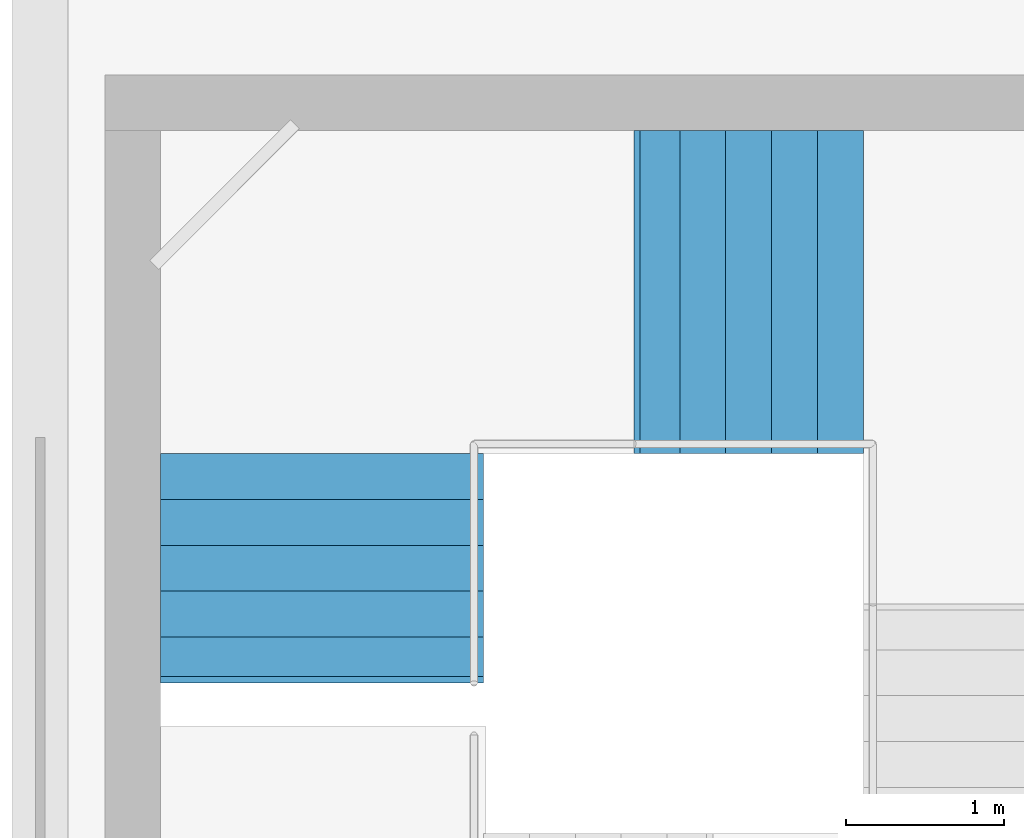
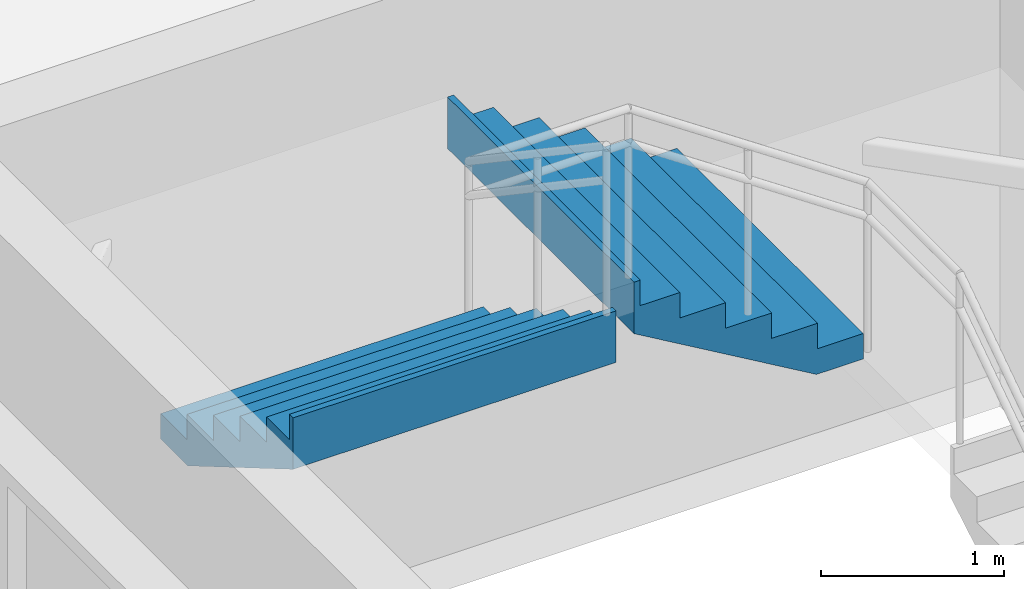
# One storey, part 64 of 66: 2 stair flights, 1 element without a shape of its own.
"""IFC4 building model written with IfcOpenShell, lengths in metres."""

from ifc_helpers import new_model, si_unit, direction, frame, origin, place, context, subcontext, project, spatial, triangles, material, type_object, element, aggregate, save


model = new_model("IFC4")

# Units and contexts
model_context = context("Model", 3, precision=1e-05, world=origin(), true_north=direction((0.0, 1.0)))
body_context = subcontext(model_context, "Body", "Model", "MODEL_VIEW")
ifc_project = project(units=[si_unit("LENGTHUNIT", "METRE"), si_unit("AREAUNIT", "SQUARE_METRE"), si_unit("VOLUMEUNIT", "CUBIC_METRE"), si_unit("PLANEANGLEUNIT", "RADIAN"), si_unit("MASSUNIT", "GRAM", prefix="KILO")], contexts=[model_context])

# Site, building, storey
site_placement = place(None, origin())
site = spatial("IfcSite", under=ifc_project, at=site_placement, CompositionType="ELEMENT")
building_placement = place(site_placement, origin())
building = spatial("IfcBuilding", under=site, at=building_placement, Name="Sillaruma Civic Art Gallery", CompositionType="ELEMENT")
storey_placement = place(building_placement, frame((0.0, 0.0, 62.219970703125)))
storey = spatial("IfcBuildingStorey", under=building, at=storey_placement, Name="L12", CompositionType="ELEMENT", Elevation=62.219970703125)

# Stair, stair flights
ifc_material = material(Name="Concrete H35 (35 MPa)", Category="concrete")
stair_type = type_object("IfcStairType", Name="STR-4F-24", PredefinedType="USERDEFINED", material=ifc_material)
stair_placement = place(storey_placement, origin())
stair = element("IfcStair", 1, at=stair_placement, inside=storey, type_object=stair_type, Name="Protected Exit Stair ST-02 (West Bar North) (L12)", ObjectType="THREE_RETURN_STAIR", PredefinedType="USERDEFINED")
stair_flight_type = type_object("IfcStairFlightType", Name="SFL-STR-6", PredefinedType="STRAIGHT", material=ifc_material)
stair_flight_1_placement = place(storey_placement, frame((67.199951171875, 86.3701171875, 2.0400390625), z_axis=(0.0, 0.0, 1.0), x_axis=(-1.0, 0.0, 0.0)))
stair_flight_1 = element("IfcStairFlight", 2, at=stair_flight_1_placement, type_object=stair_flight_type, Name="ST-02 flight 3", NumberOfRisers=6, NumberOfTreads=5, PredefinedType="STRAIGHT", RiserHeight=0.17, TreadLength=0.29, context=body_context, shape_type="Tessellation", body=[
    triangles([(0.0, -1.02001953125, 0.0), (0.29, -1.02001953125, 0.0), (0.296365, -1.02001953125, 0.0), (0.58, -1.02001953125, 0.166269), (0.87, -1.02001953125, 0.336269), (1.16, -1.02001953125, 0.506269), (1.409951, -1.02001953125, 0.652792), (1.449951, -1.02001953125, 0.67624), (1.449951, -1.02001953125, 1.02), (1.409951, -1.02001953125, 1.02), (1.409951, -1.02001953125, 0.85), (1.16, -1.02001953125, 0.85), (1.16, -1.02001953125, 0.68), (0.87, -1.02001953125, 0.68), (0.87, -1.02001953125, 0.51), (0.58, -1.02001953125, 0.51), (0.58, -1.02001953125, 0.34), (0.296365, -1.02001953125, 0.34), (0.29, -1.02001953125, 0.34), (0.29, -1.02001953125, 0.17), (0.0, -1.02001953125, 0.17), (0.0, -0.05, 0.0), (0.29, -0.05, 0.0), (0.296365, -0.05, 0.0), (0.58, -0.05, 0.166269), (0.87, -0.05, 0.336269), (1.16, -0.05, 0.506269), (1.409951, -0.05, 0.652792), (1.449951, -0.05, 0.67624), (1.449951, -0.05, 1.02), (1.409951, -0.05, 1.02), (1.409951, -0.05, 0.85), (1.16, -0.05, 0.85), (1.16, -0.05, 0.68), (0.87, -0.05, 0.68), (0.87, -0.05, 0.51), (0.58, -0.05, 0.51), (0.58, -0.05, 0.34), (0.296365, -0.05, 0.34), (0.29, -0.05, 0.34), (0.29, -0.05, 0.17), (0.0, -0.05, 0.17), (0.0, -0.0375, 0.0), (0.29, -0.0375, 0.0), (0.296365, -0.0375, 0.0), (0.58, -0.0375, 0.166269), (0.87, -0.0375, 0.336269), (1.16, -0.0375, 0.506269), (1.409951, -0.0375, 0.652792), (1.449951, -0.0375, 0.67624), (1.449951, -0.0375, 1.02), (1.409951, -0.0375, 1.02), (1.409951, -0.0375, 0.85), (1.16, -0.0375, 0.85), (1.16, -0.0375, 0.68), (0.87, -0.0375, 0.68), (0.87, -0.0375, 0.51), (0.58, -0.0375, 0.51), (0.58, -0.0375, 0.34), (0.296365, -0.0375, 0.34), (0.29, -0.0375, 0.34), (0.29, -0.0375, 0.17), (0.0, -0.0375, 0.17), (0.0, -0.025, 0.0), (0.29, -0.025, 0.0), (0.296365, -0.025, 0.0), (0.58, -0.025, 0.166269), (0.87, -0.025, 0.336269), (1.16, -0.025, 0.506269), (1.409951, -0.025, 0.652792), (1.449951, -0.025, 0.67624), (1.449951, -0.025, 1.02), (1.409951, -0.025, 1.02), (1.409951, -0.025, 0.85), (1.16, -0.025, 0.85), (1.16, -0.025, 0.68), (0.87, -0.025, 0.68), (0.87, -0.025, 0.51), (0.58, -0.025, 0.51), (0.58, -0.025, 0.34), (0.296365, -0.025, 0.34), (0.29, -0.025, 0.34), (0.29, -0.025, 0.17), (0.0, -0.025, 0.17), (0.0, -0.0125, 0.0), (0.29, -0.0125, 0.0), (0.296365, -0.0125, 0.0), (0.58, -0.0125, 0.166269), (0.87, -0.0125, 0.336269), (1.16, -0.0125, 0.506269), (1.409951, -0.0125, 0.652792), (1.449951, -0.0125, 0.67624), (1.449951, -0.0125, 1.02), (1.409951, -0.0125, 1.02), (1.409951, -0.0125, 0.85), (1.16, -0.0125, 0.85), (1.16, -0.0125, 0.68), (0.87, -0.0125, 0.68), (0.87, -0.0125, 0.51), (0.58, -0.0125, 0.51), (0.58, -0.0125, 0.34), (0.296365, -0.0125, 0.34), (0.29, -0.0125, 0.34), (0.29, -0.0125, 0.17), (0.0, -0.0125, 0.17), (0.0, 0.0, 0.0), (0.29, 0.0, 0.0), (0.296365, 0.0, 0.0), (0.58, 0.0, 0.166269), (0.87, 0.0, 0.336269), (1.16, 0.0, 0.506269), (1.409951, 0.0, 0.652792), (1.449951, 0.0, 0.67624), (1.449951, 0.0, 1.02), (1.409951, 0.0, 1.02), (1.409951, 0.0, 0.85), (1.16, 0.0, 0.85), (1.16, 0.0, 0.68), (0.87, 0.0, 0.68), (0.87, 0.0, 0.51), (0.58, 0.0, 0.51), (0.58, 0.0, 0.34), (0.296365, 0.0, 0.34), (0.29, 0.0, 0.34), (0.29, 0.0, 0.17), (0.0, 0.0, 0.17), (0.0, 0.0125, 0.0), (0.29, 0.0125, 0.0), (0.296365, 0.0125, 0.0), (0.58, 0.0125, 0.166269), (0.87, 0.0125, 0.336269), (1.16, 0.0125, 0.506269), (1.409951, 0.0125, 0.652792), (1.449951, 0.0125, 0.67624), (1.449951, 0.0125, 1.02), (1.409951, 0.0125, 1.02), (1.409951, 0.0125, 0.85), (1.16, 0.0125, 0.85), (1.16, 0.0125, 0.68), (0.87, 0.0125, 0.68), (0.87, 0.0125, 0.51), (0.58, 0.0125, 0.51), (0.58, 0.0125, 0.34), (0.296365, 0.0125, 0.34), (0.29, 0.0125, 0.34), (0.29, 0.0125, 0.17), (0.0, 0.0125, 0.17), (0.0, 0.025, 0.0), (0.29, 0.025, 0.0), (0.296365, 0.025, 0.0), (0.58, 0.025, 0.166269), (0.87, 0.025, 0.336269), (1.16, 0.025, 0.506269), (1.409951, 0.025, 0.652792), (1.449951, 0.025, 0.67624), (1.449951, 0.025, 1.02), (1.409951, 0.025, 1.02), (1.409951, 0.025, 0.85), (1.16, 0.025, 0.85), (1.16, 0.025, 0.68), (0.87, 0.025, 0.68), (0.87, 0.025, 0.51), (0.58, 0.025, 0.51), (0.58, 0.025, 0.34), (0.296365, 0.025, 0.34), (0.29, 0.025, 0.34), (0.29, 0.025, 0.17), (0.0, 0.025, 0.17), (0.0, 0.0375, 0.0), (0.29, 0.0375, 0.0), (0.296365, 0.0375, 0.0), (0.58, 0.0375, 0.166269), (0.87, 0.0375, 0.336269), (1.16, 0.0375, 0.506269), (1.409951, 0.0375, 0.652792), (1.449951, 0.0375, 0.67624), (1.449951, 0.0375, 1.02), (1.409951, 0.0375, 1.02), (1.409951, 0.0375, 0.85), (1.16, 0.0375, 0.85), (1.16, 0.0375, 0.68), (0.87, 0.0375, 0.68), (0.87, 0.0375, 0.51), (0.58, 0.0375, 0.51), (0.58, 0.0375, 0.34), (0.296365, 0.0375, 0.34), (0.29, 0.0375, 0.34), (0.29, 0.0375, 0.17), (0.0, 0.0375, 0.17), (0.0, 0.05, 0.0), (0.29, 0.05, 0.0), (0.296365, 0.05, 0.0), (0.58, 0.05, 0.166269), (0.87, 0.05, 0.336269), (1.16, 0.05, 0.506269), (1.409951, 0.05, 0.652792), (1.449951, 0.05, 0.67624), (1.449951, 0.05, 1.02), (1.409951, 0.05, 1.02), (1.409951, 0.05, 0.85), (1.16, 0.05, 0.85), (1.16, 0.05, 0.68), (0.87, 0.05, 0.68), (0.87, 0.05, 0.51), (0.58, 0.05, 0.51), (0.58, 0.05, 0.34), (0.296365, 0.05, 0.34), (0.29, 0.05, 0.34), (0.29, 0.05, 0.17), (0.0, 0.05, 0.17), (0.0, 1.02001953125, 0.0), (0.29, 1.02001953125, 0.0), (0.296365, 1.02001953125, 0.0), (0.58, 1.02001953125, 0.166269), (0.87, 1.02001953125, 0.336269), (1.16, 1.02001953125, 0.506269), (1.409951, 1.02001953125, 0.652792), (1.449951, 1.02001953125, 0.67624), (1.449951, 1.02001953125, 1.02), (1.409951, 1.02001953125, 1.02), (1.409951, 1.02001953125, 0.85), (1.16, 1.02001953125, 0.85), (1.16, 1.02001953125, 0.68), (0.87, 1.02001953125, 0.68), (0.87, 1.02001953125, 0.51), (0.58, 1.02001953125, 0.51), (0.58, 1.02001953125, 0.34), (0.296365, 1.02001953125, 0.34), (0.29, 1.02001953125, 0.34), (0.29, 1.02001953125, 0.17), (0.0, 1.02001953125, 0.17)], [[1, 2, 20], [1, 20, 21], [2, 3, 18], [2, 18, 20], [20, 18, 19], [3, 4, 17], [3, 17, 18], [4, 5, 15], [4, 15, 17], [17, 15, 16], [5, 6, 13], [5, 13, 15], [15, 13, 14], [6, 7, 11], [6, 11, 13], [13, 11, 12], [7, 8, 9], [7, 9, 11], [11, 9, 10], [230, 212, 211], [231, 230, 211], [228, 213, 212], [230, 228, 212], [229, 228, 230], [227, 214, 213], [228, 227, 213], [225, 215, 214], [227, 225, 214], [226, 225, 227], [223, 216, 215], [225, 223, 215], [224, 223, 225], [221, 217, 216], [223, 221, 216], [222, 221, 223], [219, 218, 217], [221, 219, 217], [220, 219, 221], [2, 1, 22], [2, 22, 23], [3, 2, 23], [3, 23, 24], [4, 3, 24], [4, 24, 25], [5, 4, 25], [5, 25, 26], [6, 5, 26], [6, 26, 27], [7, 6, 27], [7, 27, 28], [8, 7, 28], [8, 28, 29], [9, 8, 29], [9, 29, 30], [10, 9, 30], [10, 30, 31], [11, 10, 31], [11, 31, 32], [12, 11, 32], [12, 32, 33], [13, 12, 33], [13, 33, 34], [14, 13, 34], [14, 34, 35], [15, 14, 35], [15, 35, 36], [16, 15, 36], [16, 36, 37], [17, 16, 37], [17, 37, 38], [18, 17, 38], [18, 38, 39], [19, 18, 39], [19, 39, 40], [20, 19, 40], [20, 40, 41], [21, 20, 41], [21, 41, 42], [1, 21, 42], [1, 42, 22], [23, 22, 43], [23, 43, 44], [24, 23, 44], [24, 44, 45], [25, 24, 45], [25, 45, 46], [26, 25, 46], [26, 46, 47], [27, 26, 47], [27, 47, 48], [28, 27, 48], [28, 48, 49], [29, 28, 49], [29, 49, 50], [30, 29, 50], [30, 50, 51], [31, 30, 51], [31, 51, 52], [32, 31, 52], [32, 52, 53], [33, 32, 53], [33, 53, 54], [34, 33, 54], [34, 54, 55], [35, 34, 55], [35, 55, 56], [36, 35, 56], [36, 56, 57], [37, 36, 57], [37, 57, 58], [38, 37, 58], [38, 58, 59], [39, 38, 59], [39, 59, 60], [40, 39, 60], [40, 60, 61], [41, 40, 61], [41, 61, 62], [42, 41, 62], [42, 62, 63], [22, 42, 63], [22, 63, 43], [44, 43, 64], [44, 64, 65], [45, 44, 65], [45, 65, 66], [46, 45, 66], [46, 66, 67], [47, 46, 67], [47, 67, 68], [48, 47, 68], [48, 68, 69], [49, 48, 69], [49, 69, 70], [50, 49, 70], [50, 70, 71], [51, 50, 71], [51, 71, 72], [52, 51, 72], [52, 72, 73], [53, 52, 73], [53, 73, 74], [54, 53, 74], [54, 74, 75], [55, 54, 75], [55, 75, 76], [56, 55, 76], [56, 76, 77], [57, 56, 77], [57, 77, 78], [58, 57, 78], [58, 78, 79], [59, 58, 79], [59, 79, 80], [60, 59, 80], [60, 80, 81], [61, 60, 81], [61, 81, 82], [62, 61, 82], [62, 82, 83], [63, 62, 83], [63, 83, 84], [43, 63, 84], [43, 84, 64], [65, 64, 85], [65, 85, 86], [66, 65, 86], [66, 86, 87], [67, 66, 87], [67, 87, 88], [68, 67, 88], [68, 88, 89], [69, 68, 89], [69, 89, 90], [70, 69, 90], [70, 90, 91], [71, 70, 91], [71, 91, 92], [72, 71, 92], [72, 92, 93], [73, 72, 93], [73, 93, 94], [74, 73, 94], [74, 94, 95], [75, 74, 95], [75, 95, 96], [76, 75, 96], [76, 96, 97], [77, 76, 97], [77, 97, 98], [78, 77, 98], [78, 98, 99], [79, 78, 99], [79, 99, 100], [80, 79, 100], [80, 100, 101], [81, 80, 101], [81, 101, 102], [82, 81, 102], [82, 102, 103], [83, 82, 103], [83, 103, 104], [84, 83, 104], [84, 104, 105], [64, 84, 105], [64, 105, 85], [86, 85, 106], [86, 106, 107], [87, 86, 107], [87, 107, 108], [88, 87, 108], [88, 108, 109], [89, 88, 109], [89, 109, 110], [90, 89, 110], [90, 110, 111], [91, 90, 111], [91, 111, 112], [92, 91, 112], [92, 112, 113], [93, 92, 113], [93, 113, 114], [94, 93, 114], [94, 114, 115], [95, 94, 115], [95, 115, 116], [96, 95, 116], [96, 116, 117], [97, 96, 117], [97, 117, 118], [98, 97, 118], [98, 118, 119], [99, 98, 119], [99, 119, 120], [100, 99, 120], [100, 120, 121], [101, 100, 121], [101, 121, 122], [102, 101, 122], [102, 122, 123], [103, 102, 123], [103, 123, 124], [104, 103, 124], [104, 124, 125], [105, 104, 125], [105, 125, 126], [85, 105, 126], [85, 126, 106], [107, 106, 127], [107, 127, 128], [108, 107, 128], [108, 128, 129], [109, 108, 129], [109, 129, 130], [110, 109, 130], [110, 130, 131], [111, 110, 131], [111, 131, 132], [112, 111, 132], [112, 132, 133], [113, 112, 133], [113, 133, 134], [114, 113, 134], [114, 134, 135], [115, 114, 135], [115, 135, 136], [116, 115, 136], [116, 136, 137], [117, 116, 137], [117, 137, 138], [118, 117, 138], [118, 138, 139], [119, 118, 139], [119, 139, 140], [120, 119, 140], [120, 140, 141], [121, 120, 141], [121, 141, 142], [122, 121, 142], [122, 142, 143], [123, 122, 143], [123, 143, 144], [124, 123, 144], [124, 144, 145], [125, 124, 145], [125, 145, 146], [126, 125, 146], [126, 146, 147], [106, 126, 147], [106, 147, 127], [128, 127, 148], [128, 148, 149], [129, 128, 149], [129, 149, 150], [130, 129, 150], [130, 150, 151], [131, 130, 151], [131, 151, 152], [132, 131, 152], [132, 152, 153], [133, 132, 153], [133, 153, 154], [134, 133, 154], [134, 154, 155], [135, 134, 155], [135, 155, 156], [136, 135, 156], [136, 156, 157], [137, 136, 157], [137, 157, 158], [138, 137, 158], [138, 158, 159], [139, 138, 159], [139, 159, 160], [140, 139, 160], [140, 160, 161], [141, 140, 161], [141, 161, 162], [142, 141, 162], [142, 162, 163], [143, 142, 163], [143, 163, 164], [144, 143, 164], [144, 164, 165], [145, 144, 165], [145, 165, 166], [146, 145, 166], [146, 166, 167], [147, 146, 167], [147, 167, 168], [127, 147, 168], [127, 168, 148], [149, 148, 169], [149, 169, 170], [150, 149, 170], [150, 170, 171], [151, 150, 171], [151, 171, 172], [152, 151, 172], [152, 172, 173], [153, 152, 173], [153, 173, 174], [154, 153, 174], [154, 174, 175], [155, 154, 175], [155, 175, 176], [156, 155, 176], [156, 176, 177], [157, 156, 177], [157, 177, 178], [158, 157, 178], [158, 178, 179], [159, 158, 179], [159, 179, 180], [160, 159, 180], [160, 180, 181], [161, 160, 181], [161, 181, 182], [162, 161, 182], [162, 182, 183], [163, 162, 183], [163, 183, 184], [164, 163, 184], [164, 184, 185], [165, 164, 185], [165, 185, 186], [166, 165, 186], [166, 186, 187], [167, 166, 187], [167, 187, 188], [168, 167, 188], [168, 188, 189], [148, 168, 189], [148, 189, 169], [170, 169, 190], [170, 190, 191], [171, 170, 191], [171, 191, 192], [172, 171, 192], [172, 192, 193], [173, 172, 193], [173, 193, 194], [174, 173, 194], [174, 194, 195], [175, 174, 195], [175, 195, 196], [176, 175, 196], [176, 196, 197], [177, 176, 197], [177, 197, 198], [178, 177, 198], [178, 198, 199], [179, 178, 199], [179, 199, 200], [180, 179, 200], [180, 200, 201], [181, 180, 201], [181, 201, 202], [182, 181, 202], [182, 202, 203], [183, 182, 203], [183, 203, 204], [184, 183, 204], [184, 204, 205], [185, 184, 205], [185, 205, 206], [186, 185, 206], [186, 206, 207], [187, 186, 207], [187, 207, 208], [188, 187, 208], [188, 208, 209], [189, 188, 209], [189, 209, 210], [169, 189, 210], [169, 210, 190], [191, 190, 211], [191, 211, 212], [192, 191, 212], [192, 212, 213], [193, 192, 213], [193, 213, 214], [194, 193, 214], [194, 214, 215], [195, 194, 215], [195, 215, 216], [196, 195, 216], [196, 216, 217], [197, 196, 217], [197, 217, 218], [198, 197, 218], [198, 218, 219], [199, 198, 219], [199, 219, 220], [200, 199, 220], [200, 220, 221], [201, 200, 221], [201, 221, 222], [202, 201, 222], [202, 222, 223], [203, 202, 223], [203, 223, 224], [204, 203, 224], [204, 224, 225], [205, 204, 225], [205, 225, 226], [206, 205, 226], [206, 226, 227], [207, 206, 227], [207, 227, 228], [208, 207, 228], [208, 228, 229], [209, 208, 229], [209, 229, 230], [210, 209, 230], [210, 230, 231], [190, 210, 231], [190, 231, 211]], closed=True),
])
stair_flight_2_placement = place(storey_placement, frame((63.780029296875, 85.35009765625, 3.06005859375), z_axis=(0.0, 0.0, 1.0), x_axis=(0.0, -1.0, 0.0)))
stair_flight_2 = element("IfcStairFlight", 3, at=stair_flight_2_placement, type_object=stair_flight_type, Name="ST-02 flight 4", NumberOfRisers=6, NumberOfTreads=5, PredefinedType="STRAIGHT", RiserHeight=0.17, TreadLength=0.29, context=body_context, shape_type="Tessellation", body=[
    triangles([(0.0, -1.02001953125, 0.0), (0.29, -1.02001953125, 0.0), (0.296365, -1.02001953125, 0.0), (0.58, -1.02001953125, 0.166269), (0.87, -1.02001953125, 0.336269), (1.16, -1.02001953125, 0.506269), (1.409951, -1.02001953125, 0.652792), (1.449951, -1.02001953125, 0.67624), (1.449951, -1.02001953125, 1.02), (1.409951, -1.02001953125, 1.02), (1.409951, -1.02001953125, 0.85), (1.16, -1.02001953125, 0.85), (1.16, -1.02001953125, 0.68), (0.87, -1.02001953125, 0.68), (0.87, -1.02001953125, 0.51), (0.58, -1.02001953125, 0.51), (0.58, -1.02001953125, 0.34), (0.296365, -1.02001953125, 0.34), (0.29, -1.02001953125, 0.34), (0.29, -1.02001953125, 0.17), (0.0, -1.02001953125, 0.17), (0.0, -0.05, 0.0), (0.29, -0.05, 0.0), (0.296365, -0.05, 0.0), (0.58, -0.05, 0.166269), (0.87, -0.05, 0.336269), (1.16, -0.05, 0.506269), (1.409951, -0.05, 0.652792), (1.449951, -0.05, 0.67624), (1.449951, -0.05, 1.02), (1.409951, -0.05, 1.02), (1.409951, -0.05, 0.85), (1.16, -0.05, 0.85), (1.16, -0.05, 0.68), (0.87, -0.05, 0.68), (0.87, -0.05, 0.51), (0.58, -0.05, 0.51), (0.58, -0.05, 0.34), (0.296365, -0.05, 0.34), (0.29, -0.05, 0.34), (0.29, -0.05, 0.17), (0.0, -0.05, 0.17), (0.0, -0.0375, 0.0), (0.29, -0.0375, 0.0), (0.296365, -0.0375, 0.0), (0.58, -0.0375, 0.166269), (0.87, -0.0375, 0.336269), (1.16, -0.0375, 0.506269), (1.409951, -0.0375, 0.652792), (1.449951, -0.0375, 0.67624), (1.449951, -0.0375, 1.02), (1.409951, -0.0375, 1.02), (1.409951, -0.0375, 0.85), (1.16, -0.0375, 0.85), (1.16, -0.0375, 0.68), (0.87, -0.0375, 0.68), (0.87, -0.0375, 0.51), (0.58, -0.0375, 0.51), (0.58, -0.0375, 0.34), (0.296365, -0.0375, 0.34), (0.29, -0.0375, 0.34), (0.29, -0.0375, 0.17), (0.0, -0.0375, 0.17), (0.0, -0.025, 0.0), (0.29, -0.025, 0.0), (0.296365, -0.025, 0.0), (0.58, -0.025, 0.166269), (0.87, -0.025, 0.336269), (1.16, -0.025, 0.506269), (1.409951, -0.025, 0.652792), (1.449951, -0.025, 0.67624), (1.449951, -0.025, 1.02), (1.409951, -0.025, 1.02), (1.409951, -0.025, 0.85), (1.16, -0.025, 0.85), (1.16, -0.025, 0.68), (0.87, -0.025, 0.68), (0.87, -0.025, 0.51), (0.58, -0.025, 0.51), (0.58, -0.025, 0.34), (0.296365, -0.025, 0.34), (0.29, -0.025, 0.34), (0.29, -0.025, 0.17), (0.0, -0.025, 0.17), (0.0, -0.0125, 0.0), (0.29, -0.0125, 0.0), (0.296365, -0.0125, 0.0), (0.58, -0.0125, 0.166269), (0.87, -0.0125, 0.336269), (1.16, -0.0125, 0.506269), (1.409951, -0.0125, 0.652792), (1.449951, -0.0125, 0.67624), (1.449951, -0.0125, 1.02), (1.409951, -0.0125, 1.02), (1.409951, -0.0125, 0.85), (1.16, -0.0125, 0.85), (1.16, -0.0125, 0.68), (0.87, -0.0125, 0.68), (0.87, -0.0125, 0.51), (0.58, -0.0125, 0.51), (0.58, -0.0125, 0.34), (0.296365, -0.0125, 0.34), (0.29, -0.0125, 0.34), (0.29, -0.0125, 0.17), (0.0, -0.0125, 0.17), (0.0, 0.0, 0.0), (0.29, 0.0, 0.0), (0.296365, 0.0, 0.0), (0.58, 0.0, 0.166269), (0.87, 0.0, 0.336269), (1.16, 0.0, 0.506269), (1.409951, 0.0, 0.652792), (1.449951, 0.0, 0.67624), (1.449951, 0.0, 1.02), (1.409951, 0.0, 1.02), (1.409951, 0.0, 0.85), (1.16, 0.0, 0.85), (1.16, 0.0, 0.68), (0.87, 0.0, 0.68), (0.87, 0.0, 0.51), (0.58, 0.0, 0.51), (0.58, 0.0, 0.34), (0.296365, 0.0, 0.34), (0.29, 0.0, 0.34), (0.29, 0.0, 0.17), (0.0, 0.0, 0.17), (0.0, 0.0125, 0.0), (0.29, 0.0125, 0.0), (0.296365, 0.0125, 0.0), (0.58, 0.0125, 0.166269), (0.87, 0.0125, 0.336269), (1.16, 0.0125, 0.506269), (1.409951, 0.0125, 0.652792), (1.449951, 0.0125, 0.67624), (1.449951, 0.0125, 1.02), (1.409951, 0.0125, 1.02), (1.409951, 0.0125, 0.85), (1.16, 0.0125, 0.85), (1.16, 0.0125, 0.68), (0.87, 0.0125, 0.68), (0.87, 0.0125, 0.51), (0.58, 0.0125, 0.51), (0.58, 0.0125, 0.34), (0.296365, 0.0125, 0.34), (0.29, 0.0125, 0.34), (0.29, 0.0125, 0.17), (0.0, 0.0125, 0.17), (0.0, 0.025, 0.0), (0.29, 0.025, 0.0), (0.296365, 0.025, 0.0), (0.58, 0.025, 0.166269), (0.87, 0.025, 0.336269), (1.16, 0.025, 0.506269), (1.409951, 0.025, 0.652792), (1.449951, 0.025, 0.67624), (1.449951, 0.025, 1.02), (1.409951, 0.025, 1.02), (1.409951, 0.025, 0.85), (1.16, 0.025, 0.85), (1.16, 0.025, 0.68), (0.87, 0.025, 0.68), (0.87, 0.025, 0.51), (0.58, 0.025, 0.51), (0.58, 0.025, 0.34), (0.296365, 0.025, 0.34), (0.29, 0.025, 0.34), (0.29, 0.025, 0.17), (0.0, 0.025, 0.17), (0.0, 0.0375, 0.0), (0.29, 0.0375, 0.0), (0.296365, 0.0375, 0.0), (0.58, 0.0375, 0.166269), (0.87, 0.0375, 0.336269), (1.16, 0.0375, 0.506269), (1.409951, 0.0375, 0.652792), (1.449951, 0.0375, 0.67624), (1.449951, 0.0375, 1.02), (1.409951, 0.0375, 1.02), (1.409951, 0.0375, 0.85), (1.16, 0.0375, 0.85), (1.16, 0.0375, 0.68), (0.87, 0.0375, 0.68), (0.87, 0.0375, 0.51), (0.58, 0.0375, 0.51), (0.58, 0.0375, 0.34), (0.296365, 0.0375, 0.34), (0.29, 0.0375, 0.34), (0.29, 0.0375, 0.17), (0.0, 0.0375, 0.17), (0.0, 0.05, 0.0), (0.29, 0.05, 0.0), (0.296365, 0.05, 0.0), (0.58, 0.05, 0.166269), (0.87, 0.05, 0.336269), (1.16, 0.05, 0.506269), (1.409951, 0.05, 0.652792), (1.449951, 0.05, 0.67624), (1.449951, 0.05, 1.02), (1.409951, 0.05, 1.02), (1.409951, 0.05, 0.85), (1.16, 0.05, 0.85), (1.16, 0.05, 0.68), (0.87, 0.05, 0.68), (0.87, 0.05, 0.51), (0.58, 0.05, 0.51), (0.58, 0.05, 0.34), (0.296365, 0.05, 0.34), (0.29, 0.05, 0.34), (0.29, 0.05, 0.17), (0.0, 0.05, 0.17), (0.0, 1.02001953125, 0.0), (0.29, 1.02001953125, 0.0), (0.296365, 1.02001953125, 0.0), (0.58, 1.02001953125, 0.166269), (0.87, 1.02001953125, 0.336269), (1.16, 1.02001953125, 0.506269), (1.409951, 1.02001953125, 0.652792), (1.449951, 1.02001953125, 0.67624), (1.449951, 1.02001953125, 1.02), (1.409951, 1.02001953125, 1.02), (1.409951, 1.02001953125, 0.85), (1.16, 1.02001953125, 0.85), (1.16, 1.02001953125, 0.68), (0.87, 1.02001953125, 0.68), (0.87, 1.02001953125, 0.51), (0.58, 1.02001953125, 0.51), (0.58, 1.02001953125, 0.34), (0.296365, 1.02001953125, 0.34), (0.29, 1.02001953125, 0.34), (0.29, 1.02001953125, 0.17), (0.0, 1.02001953125, 0.17)], [[1, 2, 20], [1, 20, 21], [2, 3, 18], [2, 18, 20], [20, 18, 19], [3, 4, 17], [3, 17, 18], [4, 5, 15], [4, 15, 17], [17, 15, 16], [5, 6, 13], [5, 13, 15], [15, 13, 14], [6, 7, 11], [6, 11, 13], [13, 11, 12], [7, 8, 9], [7, 9, 11], [11, 9, 10], [230, 212, 211], [231, 230, 211], [228, 213, 212], [230, 228, 212], [229, 228, 230], [227, 214, 213], [228, 227, 213], [225, 215, 214], [227, 225, 214], [226, 225, 227], [223, 216, 215], [225, 223, 215], [224, 223, 225], [221, 217, 216], [223, 221, 216], [222, 221, 223], [219, 218, 217], [221, 219, 217], [220, 219, 221], [2, 1, 22], [2, 22, 23], [3, 2, 23], [3, 23, 24], [4, 3, 24], [4, 24, 25], [5, 4, 25], [5, 25, 26], [6, 5, 26], [6, 26, 27], [7, 6, 27], [7, 27, 28], [8, 7, 28], [8, 28, 29], [9, 8, 29], [9, 29, 30], [10, 9, 30], [10, 30, 31], [11, 10, 31], [11, 31, 32], [12, 11, 32], [12, 32, 33], [13, 12, 33], [13, 33, 34], [14, 13, 34], [14, 34, 35], [15, 14, 35], [15, 35, 36], [16, 15, 36], [16, 36, 37], [17, 16, 37], [17, 37, 38], [18, 17, 38], [18, 38, 39], [19, 18, 39], [19, 39, 40], [20, 19, 40], [20, 40, 41], [21, 20, 41], [21, 41, 42], [1, 21, 42], [1, 42, 22], [23, 22, 43], [23, 43, 44], [24, 23, 44], [24, 44, 45], [25, 24, 45], [25, 45, 46], [26, 25, 46], [26, 46, 47], [27, 26, 47], [27, 47, 48], [28, 27, 48], [28, 48, 49], [29, 28, 49], [29, 49, 50], [30, 29, 50], [30, 50, 51], [31, 30, 51], [31, 51, 52], [32, 31, 52], [32, 52, 53], [33, 32, 53], [33, 53, 54], [34, 33, 54], [34, 54, 55], [35, 34, 55], [35, 55, 56], [36, 35, 56], [36, 56, 57], [37, 36, 57], [37, 57, 58], [38, 37, 58], [38, 58, 59], [39, 38, 59], [39, 59, 60], [40, 39, 60], [40, 60, 61], [41, 40, 61], [41, 61, 62], [42, 41, 62], [42, 62, 63], [22, 42, 63], [22, 63, 43], [44, 43, 64], [44, 64, 65], [45, 44, 65], [45, 65, 66], [46, 45, 66], [46, 66, 67], [47, 46, 67], [47, 67, 68], [48, 47, 68], [48, 68, 69], [49, 48, 69], [49, 69, 70], [50, 49, 70], [50, 70, 71], [51, 50, 71], [51, 71, 72], [52, 51, 72], [52, 72, 73], [53, 52, 73], [53, 73, 74], [54, 53, 74], [54, 74, 75], [55, 54, 75], [55, 75, 76], [56, 55, 76], [56, 76, 77], [57, 56, 77], [57, 77, 78], [58, 57, 78], [58, 78, 79], [59, 58, 79], [59, 79, 80], [60, 59, 80], [60, 80, 81], [61, 60, 81], [61, 81, 82], [62, 61, 82], [62, 82, 83], [63, 62, 83], [63, 83, 84], [43, 63, 84], [43, 84, 64], [65, 64, 85], [65, 85, 86], [66, 65, 86], [66, 86, 87], [67, 66, 87], [67, 87, 88], [68, 67, 88], [68, 88, 89], [69, 68, 89], [69, 89, 90], [70, 69, 90], [70, 90, 91], [71, 70, 91], [71, 91, 92], [72, 71, 92], [72, 92, 93], [73, 72, 93], [73, 93, 94], [74, 73, 94], [74, 94, 95], [75, 74, 95], [75, 95, 96], [76, 75, 96], [76, 96, 97], [77, 76, 97], [77, 97, 98], [78, 77, 98], [78, 98, 99], [79, 78, 99], [79, 99, 100], [80, 79, 100], [80, 100, 101], [81, 80, 101], [81, 101, 102], [82, 81, 102], [82, 102, 103], [83, 82, 103], [83, 103, 104], [84, 83, 104], [84, 104, 105], [64, 84, 105], [64, 105, 85], [86, 85, 106], [86, 106, 107], [87, 86, 107], [87, 107, 108], [88, 87, 108], [88, 108, 109], [89, 88, 109], [89, 109, 110], [90, 89, 110], [90, 110, 111], [91, 90, 111], [91, 111, 112], [92, 91, 112], [92, 112, 113], [93, 92, 113], [93, 113, 114], [94, 93, 114], [94, 114, 115], [95, 94, 115], [95, 115, 116], [96, 95, 116], [96, 116, 117], [97, 96, 117], [97, 117, 118], [98, 97, 118], [98, 118, 119], [99, 98, 119], [99, 119, 120], [100, 99, 120], [100, 120, 121], [101, 100, 121], [101, 121, 122], [102, 101, 122], [102, 122, 123], [103, 102, 123], [103, 123, 124], [104, 103, 124], [104, 124, 125], [105, 104, 125], [105, 125, 126], [85, 105, 126], [85, 126, 106], [107, 106, 127], [107, 127, 128], [108, 107, 128], [108, 128, 129], [109, 108, 129], [109, 129, 130], [110, 109, 130], [110, 130, 131], [111, 110, 131], [111, 131, 132], [112, 111, 132], [112, 132, 133], [113, 112, 133], [113, 133, 134], [114, 113, 134], [114, 134, 135], [115, 114, 135], [115, 135, 136], [116, 115, 136], [116, 136, 137], [117, 116, 137], [117, 137, 138], [118, 117, 138], [118, 138, 139], [119, 118, 139], [119, 139, 140], [120, 119, 140], [120, 140, 141], [121, 120, 141], [121, 141, 142], [122, 121, 142], [122, 142, 143], [123, 122, 143], [123, 143, 144], [124, 123, 144], [124, 144, 145], [125, 124, 145], [125, 145, 146], [126, 125, 146], [126, 146, 147], [106, 126, 147], [106, 147, 127], [128, 127, 148], [128, 148, 149], [129, 128, 149], [129, 149, 150], [130, 129, 150], [130, 150, 151], [131, 130, 151], [131, 151, 152], [132, 131, 152], [132, 152, 153], [133, 132, 153], [133, 153, 154], [134, 133, 154], [134, 154, 155], [135, 134, 155], [135, 155, 156], [136, 135, 156], [136, 156, 157], [137, 136, 157], [137, 157, 158], [138, 137, 158], [138, 158, 159], [139, 138, 159], [139, 159, 160], [140, 139, 160], [140, 160, 161], [141, 140, 161], [141, 161, 162], [142, 141, 162], [142, 162, 163], [143, 142, 163], [143, 163, 164], [144, 143, 164], [144, 164, 165], [145, 144, 165], [145, 165, 166], [146, 145, 166], [146, 166, 167], [147, 146, 167], [147, 167, 168], [127, 147, 168], [127, 168, 148], [149, 148, 169], [149, 169, 170], [150, 149, 170], [150, 170, 171], [151, 150, 171], [151, 171, 172], [152, 151, 172], [152, 172, 173], [153, 152, 173], [153, 173, 174], [154, 153, 174], [154, 174, 175], [155, 154, 175], [155, 175, 176], [156, 155, 176], [156, 176, 177], [157, 156, 177], [157, 177, 178], [158, 157, 178], [158, 178, 179], [159, 158, 179], [159, 179, 180], [160, 159, 180], [160, 180, 181], [161, 160, 181], [161, 181, 182], [162, 161, 182], [162, 182, 183], [163, 162, 183], [163, 183, 184], [164, 163, 184], [164, 184, 185], [165, 164, 185], [165, 185, 186], [166, 165, 186], [166, 186, 187], [167, 166, 187], [167, 187, 188], [168, 167, 188], [168, 188, 189], [148, 168, 189], [148, 189, 169], [170, 169, 190], [170, 190, 191], [171, 170, 191], [171, 191, 192], [172, 171, 192], [172, 192, 193], [173, 172, 193], [173, 193, 194], [174, 173, 194], [174, 194, 195], [175, 174, 195], [175, 195, 196], [176, 175, 196], [176, 196, 197], [177, 176, 197], [177, 197, 198], [178, 177, 198], [178, 198, 199], [179, 178, 199], [179, 199, 200], [180, 179, 200], [180, 200, 201], [181, 180, 201], [181, 201, 202], [182, 181, 202], [182, 202, 203], [183, 182, 203], [183, 203, 204], [184, 183, 204], [184, 204, 205], [185, 184, 205], [185, 205, 206], [186, 185, 206], [186, 206, 207], [187, 186, 207], [187, 207, 208], [188, 187, 208], [188, 208, 209], [189, 188, 209], [189, 209, 210], [169, 189, 210], [169, 210, 190], [191, 190, 211], [191, 211, 212], [192, 191, 212], [192, 212, 213], [193, 192, 213], [193, 213, 214], [194, 193, 214], [194, 214, 215], [195, 194, 215], [195, 215, 216], [196, 195, 216], [196, 216, 217], [197, 196, 217], [197, 217, 218], [198, 197, 218], [198, 218, 219], [199, 198, 219], [199, 219, 220], [200, 199, 220], [200, 220, 221], [201, 200, 221], [201, 221, 222], [202, 201, 222], [202, 222, 223], [203, 202, 223], [203, 223, 224], [204, 203, 224], [204, 224, 225], [205, 204, 225], [205, 225, 226], [206, 205, 226], [206, 226, 227], [207, 206, 227], [207, 227, 228], [208, 207, 228], [208, 228, 229], [209, 208, 229], [209, 229, 230], [210, 209, 230], [210, 230, 231], [190, 210, 231], [190, 231, 211]], closed=True),
])
aggregate(stair, [stair_flight_1, stair_flight_2])

save(model, "model.ifc")
